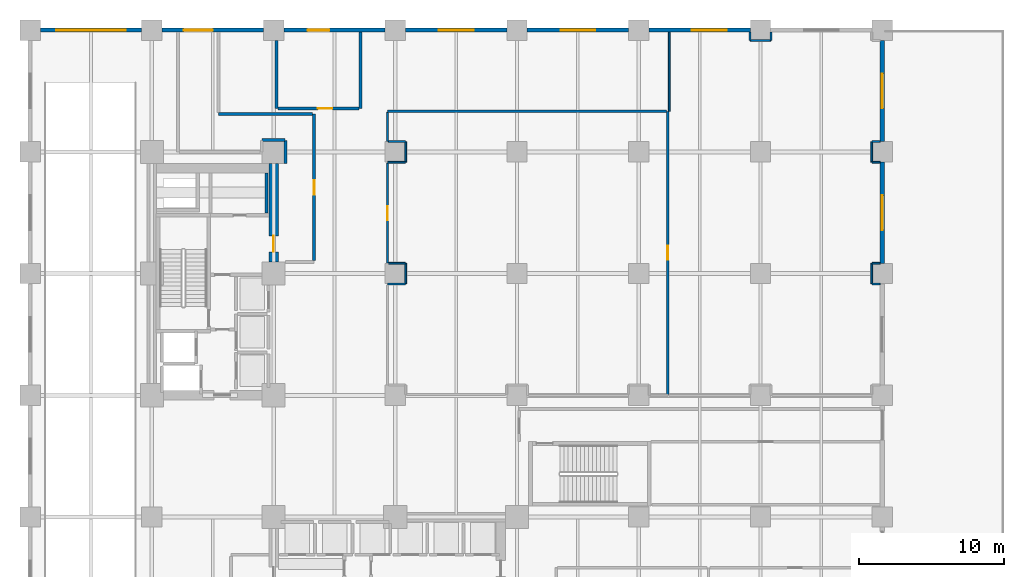
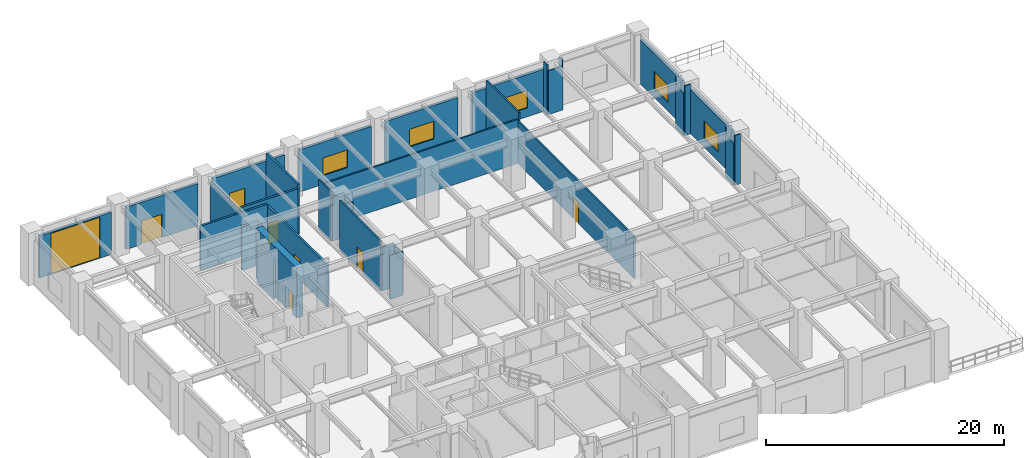
# One storey, part 7 of 13: 37 walls, 8 doors, 5 windows, 13 openings.
"""IFC4 building model written with IfcOpenShell, lengths in metres."""

from ifc_helpers import new_model, si_unit, direction, frame, frame_2d, origin, place, context, subcontext, project, spatial, rectangle, extrude, material, layer, layer_set, type_object, element, fill, save


model = new_model("IFC4")

# Units and contexts
model_context = context("Model", 3, precision=1e-05, world=origin(), true_north=direction((0.0, 1.0)))
body_context = subcontext(model_context, "Body", "Model", "MODEL_VIEW")
ifc_project = project(units=[si_unit("LENGTHUNIT", "METRE"), si_unit("AREAUNIT", "SQUARE_METRE"), si_unit("VOLUMEUNIT", "CUBIC_METRE"), si_unit("PLANEANGLEUNIT", "RADIAN"), si_unit("MASSUNIT", "GRAM", prefix="KILO")], contexts=[model_context])

# Site, building, storey
site_placement = place(None, origin())
site = spatial("IfcSite", under=ifc_project, at=site_placement, CompositionType="ELEMENT")
building_placement = place(site_placement, origin())
building = spatial("IfcBuilding", under=site, at=building_placement, Name="Nerrivon Quay Data Exchange", CompositionType="ELEMENT")
storey_placement = place(building_placement, origin())
storey = spatial("IfcBuildingStorey", under=building, at=storey_placement, Name="L00", CompositionType="ELEMENT", Elevation=0.0)

# Wall, opening, door
ifc_material_1 = material(Name="Precast concrete N50 (50 MPa)", Category="concrete")
ifc_layer_1 = layer(ifc_material_1, 0.280029296875)
ifc_layer_set_1 = layer_set([ifc_layer_1], Name="Precast concrete N50 (50 MPa)")
wall_type_1 = type_object("IfcWallType", Name="EW-PREC-280", PredefinedType="STANDARD", material=ifc_layer_set_1)
wall_1_placement = place(storey_placement, frame((0.699951171875, 50.39990234375, 0.0), z_axis=(0.0, 0.0, 1.0), x_axis=(1.0, 0.0, 0.0)))
wall_1 = element("IfcWall", 1, at=wall_1_placement, inside=storey, type_object=wall_type_1, Name="L00 Podium Exterior Wall 7", PredefinedType="STANDARD", context=body_context, shape_type="SweptSolid", body=[
    extrude(rectangle(XDim=7.0, YDim=0.280029296875, at=frame_2d((3.5, 0.0))), origin(), (0.0, 0.0, 1.0), 4.324951171875),
])
opening_1_placement = place(wall_1_placement, frame((1.10009765625, 0.0, 0.0)))
opening_1 = element("IfcOpeningElement", 2, at=opening_1_placement, cuts=wall_1, Name="Opening RS-01", PredefinedType="OPENING", context=body_context, shape_type="SweptSolid", body=[
    extrude(rectangle(XDim=4.800048828125, YDim=4.199951171875, at=frame_2d((2.39990234375, 2.10009765625))), frame((0.0, 0.14990234375, 0.0), z_axis=(0.0, -1.0, 0.0), x_axis=(1.0, 0.0, 0.0)), (0.0, 0.0, 1.0), 0.300048828125),
])
ifc_material_2 = material(Name="Powder-coated galvanized steel sheet", Category="steel")
door_type_1 = type_object("IfcDoorType", Name="DR-GATE-4800x4200", OperationType="ROLLINGUP", PredefinedType="GATE", material=ifc_material_2)
door_1_placement = place(opening_1_placement, origin())
door_1 = element("IfcDoor", 3, at=door_1_placement, inside=storey, type_object=door_type_1, Name="Basement Ramp Security Roller Shutter Gate RS-01", OperationType="ROLLINGUP", OverallHeight=4.199951171875, OverallWidth=4.800048828125, PredefinedType="GATE", context=body_context, shape_type="SweptSolid", body=[
    extrude(rectangle(XDim=4.800048828125, YDim=4.199951171875, at=frame_2d((2.39990234375, 2.10009765625))), frame((0.0, 0.02490234375, 0.0), z_axis=(0.0, -1.0, 0.0), x_axis=(1.0, 0.0, 0.0)), (0.0, 0.0, 1.0), 0.050048828125),
])
fill(opening_1, door_1)

wall_2_placement = place(storey_placement, frame((9.10009765625, 50.39990234375, 0.0), z_axis=(0.0, 0.0, 1.0), x_axis=(1.0, 0.0, 0.0)))
wall_2 = element("IfcWall", 4, at=wall_2_placement, inside=storey, type_object=wall_type_1, Name="L00 Podium Exterior Wall 8", PredefinedType="STANDARD", context=body_context, shape_type="SweptSolid", body=[
    extrude(rectangle(XDim=7.0, YDim=0.280029296875, at=frame_2d((3.5, 0.0))), origin(), (0.0, 0.0, 1.0), 4.324951171875),
])
opening_2_placement = place(wall_2_placement, frame((1.5, 0.0, 0.0)))
opening_2 = element("IfcOpeningElement", 5, at=opening_2_placement, cuts=wall_2, Name="Opening ED1", PredefinedType="OPENING", context=body_context, shape_type="SweptSolid", body=[
    extrude(rectangle(XDim=2.0, YDim=2.39990234375, at=frame_2d((1.0, 1.199951171875))), frame((0.0, 0.14990234375, 0.0), z_axis=(0.0, -1.0, 0.0), x_axis=(1.0, 0.0, 0.0)), (0.0, 0.0, 1.0), 0.300048828125),
])
ifc_material_3 = material(Name="Anodised aluminium 6063-T6", Category="aluminium")
door_type_2 = type_object("IfcDoorType", Name="DR-EXT-2000x2400", OperationType="DOUBLE_DOOR_SINGLE_SWING", PredefinedType="DOOR", material=ifc_material_3)
door_2_placement = place(opening_2_placement, origin())
door_2 = element("IfcDoor", 6, at=door_2_placement, inside=storey, type_object=door_type_2, Name="North Boulevard Fire-Isolated Exit Discharge Door", OperationType="DOUBLE_DOOR_SINGLE_SWING", OverallHeight=2.39990234375, OverallWidth=2.0, PredefinedType="DOOR", context=body_context, shape_type="SweptSolid", body=[
    extrude(rectangle(XDim=2.0, YDim=2.39990234375, at=frame_2d((1.0, 1.199951171875))), frame((0.0, 0.02490234375, 0.0), z_axis=(0.0, -1.0, 0.0), x_axis=(1.0, 0.0, 0.0)), (0.0, 0.0, 1.0), 0.050048828125),
])
fill(opening_2, door_2)

wall_3_placement = place(storey_placement, frame((17.5, 50.39990234375, 0.0), z_axis=(0.0, 0.0, 1.0), x_axis=(1.0, 0.0, 0.0)))
wall_3 = element("IfcWall", 7, at=wall_3_placement, inside=storey, type_object=wall_type_1, Name="L00 Podium Exterior Wall 9", PredefinedType="STANDARD", context=body_context, shape_type="SweptSolid", body=[
    extrude(rectangle(XDim=7.0, YDim=0.280029296875, at=frame_2d((3.5, 0.0))), origin(), (0.0, 0.0, 1.0), 4.324951171875),
])
opening_3_placement = place(wall_3_placement, frame((1.64990234375, 0.0, 0.0)))
opening_3 = element("IfcOpeningElement", 8, at=opening_3_placement, cuts=wall_3, Name="Opening ED2", PredefinedType="OPENING", context=body_context, shape_type="SweptSolid", body=[
    extrude(rectangle(XDim=1.5, YDim=2.25, at=frame_2d((0.75, 1.125))), frame((0.0, 0.14990234375, 0.0), z_axis=(0.0, -1.0, 0.0), x_axis=(1.0, 0.0, 0.0)), (0.0, 0.0, 1.0), 0.300048828125),
])
door_type_3 = type_object("IfcDoorType", Name="DR-EXT-1500x2250", OperationType="NOTDEFINED", PredefinedType="DOOR", material=ifc_material_3)
door_3_placement = place(opening_3_placement, origin())
door_3 = element("IfcDoor", 9, at=door_3_placement, inside=storey, type_object=door_type_3, Name="Fire Control Room External Access Door", OperationType="SINGLE_SWING_LEFT", OverallHeight=2.25, OverallWidth=1.5, PredefinedType="DOOR", context=body_context, shape_type="SweptSolid", body=[
    extrude(rectangle(XDim=1.5, YDim=2.25, at=frame_2d((0.75, 1.125))), frame((0.0, 0.02490234375, 0.0), z_axis=(0.0, -1.0, 0.0), x_axis=(1.0, 0.0, 0.0)), (0.0, 0.0, 1.0), 0.050048828125),
])
fill(opening_3, door_3)

# Wall, opening, window
wall_4_placement = place(storey_placement, frame((25.89990234375, 50.39990234375, 0.0), z_axis=(0.0, 0.0, 1.0), x_axis=(1.0, 0.0, 0.0)))
wall_4 = element("IfcWall", 10, at=wall_4_placement, inside=storey, type_object=wall_type_1, Name="L00 Podium Exterior Wall 10", PredefinedType="STANDARD", context=body_context, shape_type="SweptSolid", body=[
    extrude(rectangle(XDim=7.0, YDim=0.280029296875, at=frame_2d((3.5, 0.0))), origin(), (0.0, 0.0, 1.0), 4.324951171875),
])
opening_4_placement = place(wall_4_placement, frame((2.300048828125, 0.0, 0.89990234375)))
opening_4 = element("IfcOpeningElement", 11, at=opening_4_placement, cuts=wall_4, Name="Opening WN1", PredefinedType="OPENING", context=body_context, shape_type="SweptSolid", body=[
    extrude(rectangle(XDim=2.39990234375, YDim=1.800048828125, at=frame_2d((1.199951171875, 0.89990234375))), frame((0.0, 0.14990234375, 0.0), z_axis=(0.0, -1.0, 0.0), x_axis=(1.0, 0.0, 0.0)), (0.0, 0.0, 1.0), 0.300048828125),
])
ifc_material_4 = material(Name="Double-glazed low-E solar control glass", Category="glass")
window_type = type_object("IfcWindowType", Name="WIN-W1-2400x1800", PartitioningType="SINGLE_PANEL", PredefinedType="WINDOW", material=ifc_material_4)
window_1_placement = place(opening_4_placement, origin())
window_1 = element("IfcWindow", 12, at=window_1_placement, inside=storey, type_object=window_type, Name="L00 Podium Window 10", OverallHeight=1.800048828125, OverallWidth=2.39990234375, PartitioningType="SINGLE_PANEL", PredefinedType="WINDOW", context=body_context, shape_type="SweptSolid", body=[
    extrude(rectangle(XDim=2.39990234375, YDim=1.800048828125, at=frame_2d((1.199951171875, 0.89990234375))), frame((0.0, 0.030029296875, 0.0), z_axis=(0.0, -1.0, 0.0), x_axis=(1.0, 0.0, 0.0)), (0.0, 0.0, 1.0), 0.06005859375),
])
fill(opening_4, window_1)

wall_5_placement = place(storey_placement, frame((34.300048828125, 50.39990234375, 0.0), z_axis=(0.0, 0.0, 1.0), x_axis=(1.0, 0.0, 0.0)))
wall_5 = element("IfcWall", 13, at=wall_5_placement, inside=storey, type_object=wall_type_1, Name="L00 Podium Exterior Wall 11", PredefinedType="STANDARD", context=body_context, shape_type="SweptSolid", body=[
    extrude(rectangle(XDim=7.0, YDim=0.280029296875, at=frame_2d((3.5, 0.0))), origin(), (0.0, 0.0, 1.0), 4.324951171875),
])
opening_5_placement = place(wall_5_placement, frame((2.300048828125, 0.0, 0.89990234375)))
opening_5 = element("IfcOpeningElement", 14, at=opening_5_placement, cuts=wall_5, Name="Opening WN1", PredefinedType="OPENING", context=body_context, shape_type="SweptSolid", body=[
    extrude(rectangle(XDim=2.39990234375, YDim=1.800048828125, at=frame_2d((1.199951171875, 0.89990234375))), frame((0.0, 0.14990234375, 0.0), z_axis=(0.0, -1.0, 0.0), x_axis=(1.0, 0.0, 0.0)), (0.0, 0.0, 1.0), 0.300048828125),
])
window_2_placement = place(opening_5_placement, origin())
window_2 = element("IfcWindow", 15, at=window_2_placement, inside=storey, type_object=window_type, Name="L00 Podium Window 11", OverallHeight=1.800048828125, OverallWidth=2.39990234375, PartitioningType="SINGLE_PANEL", PredefinedType="WINDOW", context=body_context, shape_type="SweptSolid", body=[
    extrude(rectangle(XDim=2.39990234375, YDim=1.800048828125, at=frame_2d((1.199951171875, 0.89990234375))), frame((0.0, 0.030029296875, 0.0), z_axis=(0.0, -1.0, 0.0), x_axis=(1.0, 0.0, 0.0)), (0.0, 0.0, 1.0), 0.06005859375),
])
fill(opening_5, window_2)

wall_6_placement = place(storey_placement, frame((42.699951171875, 50.39990234375, 0.0), z_axis=(0.0, 0.0, 1.0), x_axis=(1.0, 0.0, 0.0)))
wall_6 = element("IfcWall", 16, at=wall_6_placement, inside=storey, type_object=wall_type_1, Name="L00 Podium Exterior Wall 12", PredefinedType="STANDARD", context=body_context, shape_type="SweptSolid", body=[
    extrude(rectangle(XDim=7.0, YDim=0.280029296875, at=frame_2d((3.5, 0.0))), origin(), (0.0, 0.0, 1.0), 4.324951171875),
])
opening_6_placement = place(wall_6_placement, frame((2.955078125, 0.0, 0.89990234375)))
opening_6 = element("IfcOpeningElement", 17, at=opening_6_placement, cuts=wall_6, Name="Opening WN1", PredefinedType="OPENING", context=body_context, shape_type="SweptSolid", body=[
    extrude(rectangle(XDim=2.39990234375, YDim=1.800048828125, at=frame_2d((1.199951171875, 0.89990234375))), frame((0.0, 0.14990234375, 0.0), z_axis=(0.0, -1.0, 0.0), x_axis=(1.0, 0.0, 0.0)), (0.0, 0.0, 1.0), 0.300048828125),
])
window_3_placement = place(opening_6_placement, origin())
window_3 = element("IfcWindow", 18, at=window_3_placement, inside=storey, type_object=window_type, Name="L00 Podium Window 12", OverallHeight=1.800048828125, OverallWidth=2.39990234375, PartitioningType="SINGLE_PANEL", PredefinedType="WINDOW", context=body_context, shape_type="SweptSolid", body=[
    extrude(rectangle(XDim=2.39990234375, YDim=1.800048828125, at=frame_2d((1.199951171875, 0.89990234375))), frame((0.0, 0.030029296875, 0.0), z_axis=(0.0, -1.0, 0.0), x_axis=(1.0, 0.0, 0.0)), (0.0, 0.0, 1.0), 0.06005859375),
])
fill(opening_6, window_3)

wall_7_placement = place(storey_placement, frame((58.800048828125, 49.699951171875, 0.0), z_axis=(0.0, 0.0, 1.0), x_axis=(0.0, -1.0, 0.0)))
wall_7 = element("IfcWall", 19, at=wall_7_placement, inside=storey, type_object=wall_type_1, Name="L00 Podium Exterior Wall 14", PredefinedType="STANDARD", context=body_context, shape_type="SweptSolid", body=[
    extrude(rectangle(XDim=7.0, YDim=0.280029296875, at=frame_2d((3.5, 0.0))), origin(), (0.0, 0.0, 1.0), 4.512939453125),
])
opening_7_placement = place(wall_7_placement, frame((2.300048828125, 0.0, 0.89990234375)))
opening_7 = element("IfcOpeningElement", 20, at=opening_7_placement, cuts=wall_7, Name="Opening WN1", PredefinedType="OPENING", context=body_context, shape_type="SweptSolid", body=[
    extrude(rectangle(XDim=2.39990234375, YDim=1.800048828125, at=frame_2d((1.199951171875, 0.89990234375))), frame((0.0, 0.14990234375, 0.0), z_axis=(0.0, -1.0, 0.0), x_axis=(1.0, 0.0, 0.0)), (0.0, 0.0, 1.0), 0.300048828125),
])
window_4_placement = place(opening_7_placement, origin())
window_4 = element("IfcWindow", 21, at=window_4_placement, inside=storey, type_object=window_type, Name="L00 Podium Window 14", OverallHeight=1.800048828125, OverallWidth=2.39990234375, PartitioningType="SINGLE_PANEL", PredefinedType="WINDOW", context=body_context, shape_type="SweptSolid", body=[
    extrude(rectangle(XDim=2.39990234375, YDim=1.800048828125, at=frame_2d((1.199951171875, 0.89990234375))), frame((0.0, 0.030029296875, 0.0), z_axis=(0.0, -1.0, 0.0), x_axis=(1.0, 0.0, 0.0)), (0.0, 0.0, 1.0), 0.06005859375),
])
fill(opening_7, window_4)

wall_8_placement = place(storey_placement, frame((58.800048828125, 41.300048828125, 0.0), z_axis=(0.0, 0.0, 1.0), x_axis=(0.0, -1.0, 0.0)))
wall_8 = element("IfcWall", 22, at=wall_8_placement, inside=storey, type_object=wall_type_1, Name="L00 Podium Exterior Wall 15", PredefinedType="STANDARD", context=body_context, shape_type="SweptSolid", body=[
    extrude(rectangle(XDim=7.0, YDim=0.280029296875, at=frame_2d((3.5, 0.0))), origin(), (0.0, 0.0, 1.0), 4.512939453125),
])
opening_8_placement = place(wall_8_placement, frame((2.300048828125, 0.0, 0.89990234375)))
opening_8 = element("IfcOpeningElement", 23, at=opening_8_placement, cuts=wall_8, Name="Opening WN1", PredefinedType="OPENING", context=body_context, shape_type="SweptSolid", body=[
    extrude(rectangle(XDim=2.39990234375, YDim=1.800048828125, at=frame_2d((1.199951171875, 0.89990234375))), frame((0.0, 0.14990234375, 0.0), z_axis=(0.0, -1.0, 0.0), x_axis=(1.0, 0.0, 0.0)), (0.0, 0.0, 1.0), 0.300048828125),
])
window_5_placement = place(opening_8_placement, origin())
window_5 = element("IfcWindow", 24, at=window_5_placement, inside=storey, type_object=window_type, Name="L00 Podium Window 15", OverallHeight=1.800048828125, OverallWidth=2.39990234375, PartitioningType="SINGLE_PANEL", PredefinedType="WINDOW", context=body_context, shape_type="SweptSolid", body=[
    extrude(rectangle(XDim=2.39990234375, YDim=1.800048828125, at=frame_2d((1.199951171875, 0.89990234375))), frame((0.0, 0.030029296875, 0.0), z_axis=(0.0, -1.0, 0.0), x_axis=(1.0, 0.0, 0.0)), (0.0, 0.0, 1.0), 0.06005859375),
])
fill(opening_8, window_5)

# Wall, opening, door
ifc_material_5 = material(Name="Concrete N80 (80 MPa)", Category="concrete")
ifc_layer_2 = layer(ifc_material_5, 0.64990234375)
ifc_layer_set_2 = layer_set([ifc_layer_2], Name="Concrete N80 (80 MPa)")
wall_type_2 = type_object("IfcWallType", Name="WALL-CW-850", PredefinedType="SHEAR", material=ifc_layer_set_2)
wall_9_placement = place(storey_placement, frame((16.800048828125, 34.39990234375, 0.0), z_axis=(0.0, 0.0, 1.0), x_axis=(0.0, 1.0, 0.0)))
wall_9 = element("IfcWall", 25, at=wall_9_placement, inside=storey, type_object=wall_type_2, Name="L00 West Split-Core Shear Wall WCW-E1", PredefinedType="SHEAR", context=body_context, shape_type="SweptSolid", body=[
    extrude(rectangle(XDim=6.800048828125, YDim=0.64990234375, at=frame_2d((3.39990234375, 0.0))), origin(), (0.0, 0.0, 1.0), 5.125),
])
opening_9_placement = place(wall_9_placement, frame((0.699951171875, 0.0, 0.0)))
opening_9 = element("IfcOpeningElement", 26, at=opening_9_placement, cuts=wall_9, Name="Opening FD-120", PredefinedType="OPENING", context=body_context, shape_type="SweptSolid", body=[
    extrude(rectangle(XDim=1.10009765625, YDim=2.14990234375, at=frame_2d((0.550048828125, 1.074951171875))), frame((0.0, 0.3349609375, 0.0), z_axis=(0.0, -1.0, 0.0), x_axis=(1.0, 0.0, 0.0)), (0.0, 0.0, 1.0), 0.669921875),
])
door_type_4 = type_object("IfcDoorType", Name="DR-FD120-1100", OperationType="NOTDEFINED", PredefinedType="DOOR", material=ifc_material_2)
door_4_placement = place(opening_9_placement, origin())
door_4 = element("IfcDoor", 27, at=door_4_placement, inside=storey, type_object=door_type_4, Name="L00 West Core Lobby Fire Door", OperationType="SINGLE_SWING_LEFT", OverallHeight=2.14990234375, OverallWidth=1.10009765625, PredefinedType="DOOR", context=body_context, shape_type="SweptSolid", body=[
    extrude(rectangle(XDim=1.10009765625, YDim=2.14990234375, at=frame_2d((0.550048828125, 1.074951171875))), frame((0.0, 0.02490234375, 0.0), z_axis=(0.0, -1.0, 0.0), x_axis=(1.0, 0.0, 0.0)), (0.0, 0.0, 1.0), 0.050048828125),
])
fill(opening_9, door_4)

# Walls
ifc_material_6 = material(Name="Gypsum plasterboard on cold-formed framing", Category="gypsum")
ifc_layer_3 = layer(ifc_material_6, 0.199951171875)
ifc_layer_set_3 = layer_set([ifc_layer_3], Name="Gypsum plasterboard on cold-formed framing")
wall_type_3 = type_object("IfcWallType", Name="WALL-FW-200", PredefinedType="PARTITIONING", material=ifc_layer_set_3)
wall_10_placement = place(storey_placement, frame((16.0, 42.820068359375, 0.0), z_axis=(0.0, 0.0, 1.0), x_axis=(1.0, 0.0, 0.0)))
element("IfcWall", 28, at=wall_10_placement, inside=storey, type_object=wall_type_3, Name="L00 Partition West Protected Exit Passageway", PredefinedType="PARTITIONING", context=body_context, shape_type="SweptSolid", body=[
    extrude(rectangle(XDim=1.60009765625, YDim=0.199951171875, at=frame_2d((0.800048828125, 0.0))), origin(), (0.0, 0.0, 1.0), 4.512939453125),
])
wall_11_placement = place(storey_placement, frame((17.6201171875, 42.800048828125, 0.0), z_axis=(0.0, 0.0, 1.0), x_axis=(-0.000608087452, -0.999999815115, 0.0)))
element("IfcWall", 29, at=wall_11_placement, inside=storey, type_object=wall_type_3, Name="L00 Partition West Protected Exit Passageway", PredefinedType="PARTITIONING", context=body_context, shape_type="SweptSolid", body=[
    extrude(rectangle(XDim=1.60595703125, YDim=0.199951171875, at=frame_2d((0.802978515625, 0.0))), origin(), (0.0, 0.0, 1.0), 4.324951171875),
])

# Wall, opening, door
wall_12_placement = place(storey_placement, frame((19.60009765625, 34.50390625, 0.0), z_axis=(0.0, 0.0, 1.0), x_axis=(0.0, 1.0, 0.0)))
wall_12 = element("IfcWall", 30, at=wall_12_placement, inside=storey, type_object=wall_type_3, Name="L00 Partition West Protected Exit Passageway", PredefinedType="PARTITIONING", context=body_context, shape_type="SweptSolid", body=[
    extrude(rectangle(XDim=10.09619140625, YDim=0.199951171875, at=frame_2d((5.048095703125, 0.0))), origin(), (0.0, 0.0, 1.0), 4.324951171875),
])
opening_10_placement = place(wall_12_placement, frame((4.548095703125, 0.0, 0.0)))
opening_10 = element("IfcOpeningElement", 31, at=opening_10_placement, cuts=wall_12, Name="Opening FD-60", PredefinedType="OPENING", context=body_context, shape_type="SweptSolid", body=[
    extrude(rectangle(XDim=1.0, YDim=2.14990234375, at=frame_2d((0.5, 1.074951171875))), frame((0.0, 0.10986328125, 0.0), z_axis=(0.0, -1.0, 0.0), x_axis=(1.0, 0.0, 0.0)), (0.0, 0.0, 1.0), 0.219970703125),
])
ifc_material_7 = material(Name="Engineered hardwood timber", Category="wood")
door_type_5 = type_object("IfcDoorType", Name="DR-FD60-1000", OperationType="NOTDEFINED", PredefinedType="DOOR", material=ifc_material_7)
door_5_placement = place(opening_10_placement, origin())
door_5 = element("IfcDoor", 32, at=door_5_placement, inside=storey, type_object=door_type_5, Name="L00 Door West Protected Exit Passageway", OperationType="SINGLE_SWING_RIGHT", OverallHeight=2.14990234375, OverallWidth=1.0, PredefinedType="DOOR", context=body_context, shape_type="SweptSolid", body=[
    extrude(rectangle(XDim=1.0, YDim=2.14990234375, at=frame_2d((0.5, 1.074951171875))), frame((0.0, 0.02490234375, 0.0), z_axis=(0.0, -1.0, 0.0), x_axis=(1.0, 0.0, 0.0)), (0.0, 0.0, 1.0), 0.050048828125),
])
fill(opening_10, door_5)

# Walls
wall_13_placement = place(storey_placement, frame((19.49609375, 44.60009765625, 0.0), z_axis=(0.0, 0.0, 1.0), x_axis=(-1.0, 0.0, 0.0)))
element("IfcWall", 33, at=wall_13_placement, inside=storey, type_object=wall_type_3, Name="L00 Partition West Protected Exit Passageway", PredefinedType="PARTITIONING", context=body_context, shape_type="SweptSolid", body=[
    extrude(rectangle(XDim=6.49609375, YDim=0.199951171875, at=frame_2d((3.248046875, 0.0))), origin(), (0.0, 0.0, 1.0), 4.512939453125),
])
wall_14_placement = place(storey_placement, frame((16.300048828125, 37.780029296875, 0.0), z_axis=(0.0, 0.0, 1.0), x_axis=(0.0, 1.0, 0.0)))
element("IfcWall", 34, at=wall_14_placement, inside=storey, type_object=wall_type_3, Name="L00 Partition Cleaners Store", PredefinedType="PARTITIONING", context=body_context, shape_type="SweptSolid", body=[
    extrude(rectangle(XDim=2.765869140625, YDim=0.199951171875, at=frame_2d((1.3828125, 0.0))), origin(), (0.0, 0.0, 1.0), 4.02490234375),
])
wall_15_placement = place(storey_placement, frame((22.800048828125, 45.0, 0.0), z_axis=(0.0, 0.0, 1.0), x_axis=(0.0, 1.0, 0.0)))
element("IfcWall", 35, at=wall_15_placement, inside=storey, type_object=wall_type_3, Name="L00 Partition Fire Control Room", PredefinedType="PARTITIONING", context=body_context, shape_type="SweptSolid", body=[
    extrude(rectangle(XDim=5.256103515625, YDim=0.199951171875, at=frame_2d((2.6279296875, 0.0))), origin(), (0.0, 0.0, 1.0), 5.125),
])
wall_16_placement = place(storey_placement, frame((17.0, 49.695068359375, 0.0), z_axis=(0.0, 0.0, 1.0), x_axis=(0.0, -1.0, 0.0)))
element("IfcWall", 36, at=wall_16_placement, inside=storey, type_object=wall_type_3, Name="L00 Partition Fire Control Room", PredefinedType="PARTITIONING", context=body_context, shape_type="SweptSolid", body=[
    extrude(rectangle(XDim=4.695068359375, YDim=0.199951171875, at=frame_2d((2.34765625, 0.0))), origin(), (0.0, 0.0, 1.0), 4.512939453125),
])

# Wall, opening, door
wall_17_placement = place(storey_placement, frame((17.10400390625, 45.0, 0.0), z_axis=(0.0, 0.0, 1.0), x_axis=(1.0, 0.0, 0.0)))
wall_17 = element("IfcWall", 37, at=wall_17_placement, inside=storey, type_object=wall_type_3, Name="L00 Partition Fire Control Room", PredefinedType="PARTITIONING", context=body_context, shape_type="SweptSolid", body=[
    extrude(rectangle(XDim=5.592041015625, YDim=0.199951171875, at=frame_2d((2.7958984375, 0.0))), origin(), (0.0, 0.0, 1.0), 4.721923828125),
])
opening_11_placement = place(wall_17_placement, frame((2.743408203125, 0.0, 0.0)))
opening_11 = element("IfcOpeningElement", 38, at=opening_11_placement, cuts=wall_17, Name="Opening FD-60", PredefinedType="OPENING", context=body_context, shape_type="SweptSolid", body=[
    extrude(rectangle(XDim=1.0, YDim=2.14990234375, at=frame_2d((0.5, 1.074951171875))), frame((0.0, 0.10986328125, 0.0), z_axis=(0.0, -1.0, 0.0), x_axis=(1.0, 0.0, 0.0)), (0.0, 0.0, 1.0), 0.219970703125),
])
door_6_placement = place(opening_11_placement, origin())
door_6 = element("IfcDoor", 39, at=door_6_placement, inside=storey, type_object=door_type_5, Name="L00 Door Fire Control Room", OperationType="SINGLE_SWING_LEFT", OverallHeight=2.14990234375, OverallWidth=1.0, PredefinedType="DOOR", context=body_context, shape_type="SweptSolid", body=[
    extrude(rectangle(XDim=1.0, YDim=2.14990234375, at=frame_2d((0.5, 1.074951171875))), frame((0.0, 0.02490234375, 0.0), z_axis=(0.0, -1.0, 0.0), x_axis=(1.0, 0.0, 0.0)), (0.0, 0.0, 1.0), 0.050048828125),
])
fill(opening_11, door_6)

# Walls
ifc_layer_4 = layer(ifc_material_6, 0.1201171875)
ifc_layer_set_4 = layer_set([ifc_layer_4], Name="Gypsum plasterboard on cold-formed framing")
wall_type_4 = type_object("IfcWallType", Name="WALL-PT-120", PredefinedType="PARTITIONING", material=ifc_layer_set_4)
wall_18_placement = place(storey_placement, frame((24.659912109375, 44.720947265625, 0.0), z_axis=(0.0, 0.0, 1.0), x_axis=(0.0, -1.0, 0.0)))
element("IfcWall", 40, at=wall_18_placement, inside=storey, type_object=wall_type_4, Name="L00 Partition Carrier Reception Office", PredefinedType="PARTITIONING", context=body_context, shape_type="SweptSolid", body=[
    extrude(rectangle(XDim=2.0009765625, YDim=0.1201171875, at=frame_2d((1.00048828125, 0.0))), origin(), (0.0, 0.0, 1.0), 5.125),
])
wall_19_placement = place(storey_placement, frame((24.72412109375, 42.719970703125, 0.0), z_axis=(0.0, 0.0, 1.0), x_axis=(1.0, 0.0, 0.0)))
element("IfcWall", 41, at=wall_19_placement, inside=storey, type_object=wall_type_4, Name="L00 Partition Carrier Reception Office", PredefinedType="PARTITIONING", context=body_context, shape_type="SweptSolid", body=[
    extrude(rectangle(XDim=1.17578125, YDim=0.1201171875, at=frame_2d((0.587890625, 0.0))), origin(), (0.0, 0.0, 1.0), 4.512939453125),
])
wall_20_placement = place(storey_placement, frame((25.919921875, 42.699951171875, 0.0), z_axis=(0.0, 0.0, 1.0), x_axis=(0.0, -1.0, 0.0)))
element("IfcWall", 42, at=wall_20_placement, inside=storey, type_object=wall_type_4, Name="L00 Partition Carrier Reception Office", PredefinedType="PARTITIONING", context=body_context, shape_type="SweptSolid", body=[
    extrude(rectangle(XDim=1.39990234375, YDim=0.1201171875, at=frame_2d((0.699951171875, 0.0))), origin(), (0.0, 0.0, 1.0), 4.324951171875),
])
wall_21_placement = place(storey_placement, frame((25.89990234375, 41.280029296875, 0.0), z_axis=(0.0, 0.0, 1.0), x_axis=(-1.0, 0.0, 0.0)))
element("IfcWall", 43, at=wall_21_placement, inside=storey, type_object=wall_type_4, Name="L00 Partition Carrier Reception Office", PredefinedType="PARTITIONING", context=body_context, shape_type="SweptSolid", body=[
    extrude(rectangle(XDim=1.239990234375, YDim=0.1201171875, at=frame_2d((0.6201171875, 0.0))), origin(), (0.0, 0.0, 1.0), 4.512939453125),
])
wall_22_placement = place(storey_placement, frame((24.739013671875, 34.320068359375, 0.0), z_axis=(0.0, 0.0, 1.0), x_axis=(1.0, 0.0, 0.0)))
element("IfcWall", 44, at=wall_22_placement, inside=storey, type_object=wall_type_4, Name="L00 Partition Carrier Reception Office", PredefinedType="PARTITIONING", context=body_context, shape_type="SweptSolid", body=[
    extrude(rectangle(XDim=1.160888671875, YDim=0.1201171875, at=frame_2d((0.58056640625, 0.0))), origin(), (0.0, 0.0, 1.0), 4.512939453125),
])
wall_23_placement = place(storey_placement, frame((25.919921875, 34.300048828125, 0.0), z_axis=(0.0, 0.0, 1.0), x_axis=(0.0, -1.0, 0.0)))
element("IfcWall", 45, at=wall_23_placement, inside=storey, type_object=wall_type_4, Name="L00 Partition Carrier Reception Office", PredefinedType="PARTITIONING", context=body_context, shape_type="SweptSolid", body=[
    extrude(rectangle(XDim=1.400146484375, YDim=0.1201171875, at=frame_2d((0.7001953125, 0.0))), origin(), (0.0, 0.0, 1.0), 4.324951171875),
])
wall_24_placement = place(storey_placement, frame((25.89990234375, 32.8798828125, 0.0), z_axis=(0.0, 0.0, 1.0), x_axis=(-1.0, 0.0, 0.0)))
element("IfcWall", 46, at=wall_24_placement, inside=storey, type_object=wall_type_4, Name="L00 Partition Carrier Reception Office", PredefinedType="PARTITIONING", context=body_context, shape_type="SweptSolid", body=[
    extrude(rectangle(XDim=1.239990234375, YDim=0.1201171875, at=frame_2d((0.6201171875, 0.0))), origin(), (0.0, 0.0, 1.0), 4.512939453125),
])
wall_25_placement = place(storey_placement, frame((58.656005859375, 32.8798828125, 0.0), z_axis=(0.0, 0.0, 1.0), x_axis=(-1.0, 0.0, 0.0)))
element("IfcWall", 47, at=wall_25_placement, inside=storey, type_object=wall_type_4, Name="L00 Partition Waterfront Cafe", PredefinedType="PARTITIONING", context=body_context, shape_type="SweptSolid", body=[
    extrude(rectangle(XDim=0.555908203125, YDim=0.1201171875, at=frame_2d((0.27783203125, 0.0))), origin(), (0.0, 0.0, 1.0), 5.125),
])
wall_26_placement = place(storey_placement, frame((58.080078125, 32.89990234375, 0.0), z_axis=(0.0, 0.0, 1.0), x_axis=(0.0, 1.0, 0.0)))
element("IfcWall", 48, at=wall_26_placement, inside=storey, type_object=wall_type_4, Name="L00 Partition Waterfront Cafe", PredefinedType="PARTITIONING", context=body_context, shape_type="SweptSolid", body=[
    extrude(rectangle(XDim=1.400146484375, YDim=0.1201171875, at=frame_2d((0.7001953125, 0.0))), origin(), (0.0, 0.0, 1.0), 4.324951171875),
])
for number, where, z_axis, x_axis, name in (
    (49, (58.10009765625, 34.320068359375, 0.0), (0.0, 0.0, 1.0), (1.0, 0.0, 0.0), "L00 Partition Waterfront Cafe"),
    (50, (58.656005859375, 41.280029296875, 0.0), (0.0, 0.0, 1.0), (-1.0, 0.0, 0.0), "L00 Partition Waterfront Cafe"),
):
    element("IfcWall", number, at=place(storey_placement, frame(where, z_axis=z_axis, x_axis=x_axis)), inside=storey, type_object=wall_type_4, Name=name, PredefinedType="PARTITIONING", context=body_context, shape_type="SweptSolid", body=[
        extrude(rectangle(XDim=0.555908203125, YDim=0.1201171875, at=frame_2d((0.27783203125, 0.0))), origin(), (0.0, 0.0, 1.0), 5.125),
    ])
wall_27_placement = place(storey_placement, frame((58.080078125, 41.300048828125, 0.0), z_axis=(0.0, 0.0, 1.0), x_axis=(0.0, 1.0, 0.0)))
element("IfcWall", 51, at=wall_27_placement, inside=storey, type_object=wall_type_4, Name="L00 Partition Waterfront Cafe", PredefinedType="PARTITIONING", context=body_context, shape_type="SweptSolid", body=[
    extrude(rectangle(XDim=1.39990234375, YDim=0.1201171875, at=frame_2d((0.699951171875, 0.0))), origin(), (0.0, 0.0, 1.0), 4.324951171875),
])
wall_28_placement = place(storey_placement, frame((58.10009765625, 42.719970703125, 0.0), z_axis=(0.0, 0.0, 1.0), x_axis=(1.0, 0.0, 0.0)))
element("IfcWall", 52, at=wall_28_placement, inside=storey, type_object=wall_type_4, Name="L00 Partition Waterfront Cafe", PredefinedType="PARTITIONING", context=body_context, shape_type="SweptSolid", body=[
    extrude(rectangle(XDim=0.555908203125, YDim=0.1201171875, at=frame_2d((0.27783203125, 0.0))), origin(), (0.0, 0.0, 1.0), 5.125),
])
wall_29_placement = place(storey_placement, frame((51.1201171875, 50.256103515625, 0.0), z_axis=(0.0, 0.0, 1.0), x_axis=(0.0, -1.0, 0.0)))
element("IfcWall", 53, at=wall_29_placement, inside=storey, type_object=wall_type_4, Name="L00 Partition Waterfront Cafe", PredefinedType="PARTITIONING", context=body_context, shape_type="SweptSolid", body=[
    extrude(rectangle(XDim=0.55615234375, YDim=0.1201171875, at=frame_2d((0.278076171875, 0.0))), origin(), (0.0, 0.0, 1.0), 5.125),
])
wall_30_placement = place(storey_placement, frame((51.10009765625, 49.679931640625, 0.0), z_axis=(0.0, 0.0, 1.0), x_axis=(-1.0, 0.0, 0.0)))
element("IfcWall", 54, at=wall_30_placement, inside=storey, type_object=wall_type_4, Name="L00 Partition Waterfront Cafe", PredefinedType="PARTITIONING", context=body_context, shape_type="SweptSolid", body=[
    extrude(rectangle(XDim=1.400146484375, YDim=0.1201171875, at=frame_2d((0.7001953125, 0.0))), origin(), (0.0, 0.0, 1.0), 4.512939453125),
])
wall_31_placement = place(storey_placement, frame((49.679931640625, 49.699951171875, 0.0), z_axis=(0.0, 0.0, 1.0), x_axis=(0.0, 1.0, 0.0)))
element("IfcWall", 55, at=wall_31_placement, inside=storey, type_object=wall_type_4, Name="L00 Partition Waterfront Cafe", PredefinedType="PARTITIONING", context=body_context, shape_type="SweptSolid", body=[
    extrude(rectangle(XDim=0.55615234375, YDim=0.1201171875, at=frame_2d((0.278076171875, 0.0))), origin(), (0.0, 0.0, 1.0), 5.125),
])
ifc_layer_5 = layer(ifc_material_6, 0.135009765625)
ifc_layer_set_5 = layer_set([ifc_layer_5], Name="Gypsum plasterboard on cold-formed framing")
wall_type_5 = type_object("IfcWallType", Name="WALL-PT-135", PredefinedType="PARTITIONING", material=ifc_layer_set_5)
wall_32_placement = place(storey_placement, frame((44.10009765625, 50.256103515625, 0.0), z_axis=(0.0, 0.0, 1.0), x_axis=(0.0, -1.0, 0.0)))
element("IfcWall", 56, at=wall_32_placement, inside=storey, type_object=wall_type_5, Name="L00 Partition Waterfront Cafe", PredefinedType="PARTITIONING", context=body_context, shape_type="SweptSolid", body=[
    extrude(rectangle(XDim=5.4560546875, YDim=0.135009765625, at=frame_2d((2.72802734375, 0.0))), origin(), (0.0, 0.0, 1.0), 5.125),
])

# Wall, opening, door
ifc_layer_6 = layer(ifc_material_6, 0.14990234375)
ifc_layer_set_6 = layer_set([ifc_layer_6], Name="Gypsum plasterboard on cold-formed framing")
wall_type_6 = type_object("IfcWallType", Name="WALL-PT-150", PredefinedType="PARTITIONING", material=ifc_layer_set_6)
wall_33_placement = place(storey_placement, frame((44.0, 25.263916015625, 0.0), z_axis=(0.0, 0.0, 1.0), x_axis=(0.0, 1.0, 0.0)))
wall_33 = element("IfcWall", 57, at=wall_33_placement, inside=storey, type_object=wall_type_6, Name="L00 Partition Carrier Reception Office", PredefinedType="PARTITIONING", context=body_context, shape_type="SweptSolid", body=[
    extrude(rectangle(XDim=19.5361328125, YDim=0.14990234375, at=frame_2d((9.76806640625, 0.0))), origin(), (0.0, 0.0, 1.0), 4.324951171875),
])
opening_12_placement = place(wall_33_placement, frame((9.29296875, 0.0, 0.0)))
opening_12 = element("IfcOpeningElement", 58, at=opening_12_placement, cuts=wall_33, Name="Opening D-01", PredefinedType="OPENING", context=body_context, shape_type="SweptSolid", body=[
    extrude(rectangle(XDim=0.949951171875, YDim=2.14990234375, at=frame_2d((0.47509765625, 1.074951171875))), frame((0.0, 0.0849609375, 0.0), z_axis=(0.0, -1.0, 0.0), x_axis=(1.0, 0.0, 0.0)), (0.0, 0.0, 1.0), 0.169921875),
])
door_type_6 = type_object("IfcDoorType", Name="DR-INT-950", OperationType="NOTDEFINED", PredefinedType="DOOR", material=ifc_material_7)
door_7_placement = place(opening_12_placement, origin())
door_7 = element("IfcDoor", 59, at=door_7_placement, inside=storey, type_object=door_type_6, Name="L00 Door Waterfront Cafe", OperationType="SINGLE_SWING_LEFT", OverallHeight=2.14990234375, OverallWidth=0.949951171875, PredefinedType="DOOR", context=body_context, shape_type="SweptSolid", body=[
    extrude(rectangle(XDim=0.949951171875, YDim=2.14990234375, at=frame_2d((0.47509765625, 1.074951171875))), frame((0.0, 0.02490234375, 0.0), z_axis=(0.0, -1.0, 0.0), x_axis=(1.0, 0.0, 0.0)), (0.0, 0.0, 1.0), 0.050048828125),
])
fill(opening_12, door_7)

# Wall
wall_34_placement = place(storey_placement, frame((43.9208984375, 44.800048828125, 0.0), z_axis=(0.0, 0.0, 1.0), x_axis=(-1.0, 0.0, 0.0)))
element("IfcWall", 60, at=wall_34_placement, inside=storey, type_object=wall_type_6, Name="L00 Partition Carrier Reception Office", PredefinedType="PARTITIONING", context=body_context, shape_type="SweptSolid", body=[
    extrude(rectangle(XDim=19.260986328125, YDim=0.14990234375, at=frame_2d((9.63037109375, 0.0))), origin(), (0.0, 0.0, 1.0), 4.512939453125),
])

# Wall, opening, door
wall_35_placement = place(storey_placement, frame((24.659912109375, 41.216064453125, 0.0), z_axis=(0.0, 0.0, 1.0), x_axis=(0.0, -1.0, 0.0)))
wall_35 = element("IfcWall", 61, at=wall_35_placement, inside=storey, type_object=wall_type_6, Name="L00 Partition Carrier Reception Office", PredefinedType="PARTITIONING", context=body_context, shape_type="SweptSolid", body=[
    extrude(rectangle(XDim=6.89599609375, YDim=0.14990234375, at=frame_2d((3.447998046875, 0.0))), origin(), (0.0, 0.0, 1.0), 5.125),
])
opening_13_placement = place(wall_35_placement, frame((2.972900390625, 0.0, 0.0)))
opening_13 = element("IfcOpeningElement", 62, at=opening_13_placement, cuts=wall_35, Name="Opening D-01", PredefinedType="OPENING", context=body_context, shape_type="SweptSolid", body=[
    extrude(rectangle(XDim=0.949951171875, YDim=2.14990234375, at=frame_2d((0.47509765625, 1.074951171875))), frame((0.0, 0.0849609375, 0.0), z_axis=(0.0, -1.0, 0.0), x_axis=(1.0, 0.0, 0.0)), (0.0, 0.0, 1.0), 0.169921875),
])
door_8_placement = place(opening_13_placement, origin())
door_8 = element("IfcDoor", 63, at=door_8_placement, inside=storey, type_object=door_type_6, Name="L00 Door Carrier Reception Office", OperationType="SINGLE_SWING_RIGHT", OverallHeight=2.14990234375, OverallWidth=0.949951171875, PredefinedType="DOOR", context=body_context, shape_type="SweptSolid", body=[
    extrude(rectangle(XDim=0.949951171875, YDim=2.14990234375, at=frame_2d((0.47509765625, 1.074951171875))), frame((0.0, 0.02490234375, 0.0), z_axis=(0.0, -1.0, 0.0), x_axis=(1.0, 0.0, 0.0)), (0.0, 0.0, 1.0), 0.050048828125),
])
fill(opening_13, door_8)

save(model, "model.ifc")
